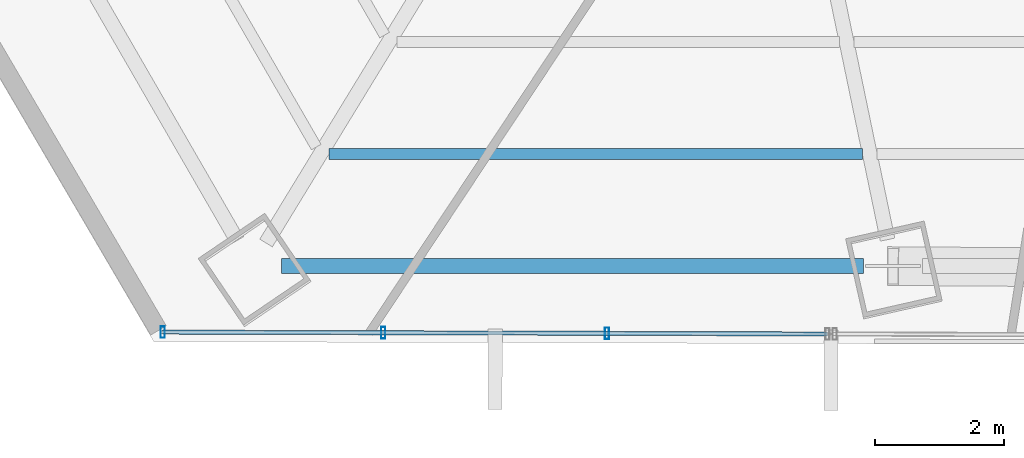
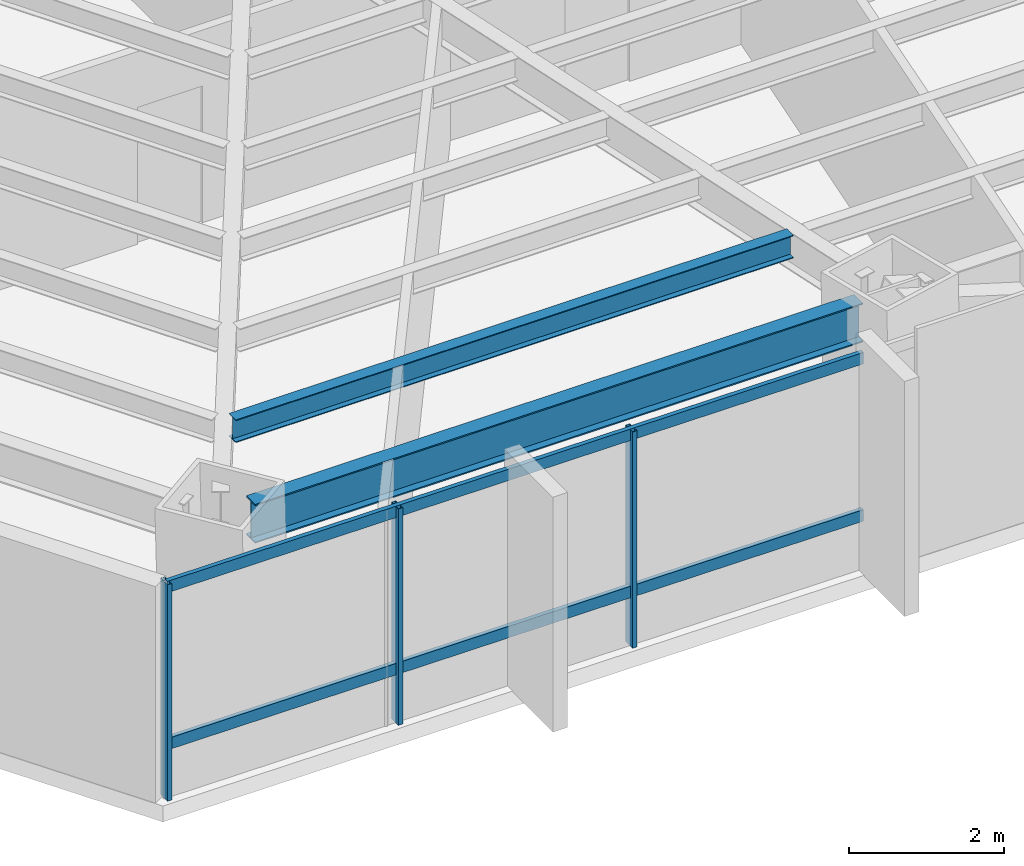
# One storey, part 3 of 37: 5 members, 2 beams, 1 element without a shape of its own.
"""IFC4 building model written with IfcOpenShell, lengths in metres."""

from ifc_helpers import new_model, si_unit, direction, frame, origin, origin_2d, place, context, subcontext, project, spatial, hollow_rectangle, i_section, extrude, source, transform, mapped, material, material_profile, profile_set, type_object, type_shapes, element, aggregate, save


model = new_model("IFC4")

# Units and contexts
model_context = context("Model", 3, precision=1e-05, world=origin(), true_north=direction((0.0, 1.0)))
body_context = subcontext(model_context, "Body", "Model", "MODEL_VIEW")
ifc_project = project(units=[si_unit("LENGTHUNIT", "METRE"), si_unit("AREAUNIT", "SQUARE_METRE"), si_unit("VOLUMEUNIT", "CUBIC_METRE"), si_unit("PLANEANGLEUNIT", "RADIAN"), si_unit("MASSUNIT", "GRAM", prefix="KILO")], contexts=[model_context])

# Site, building, storey
site_placement = place(None, origin())
site = spatial("IfcSite", under=ifc_project, at=site_placement, CompositionType="ELEMENT")
building_placement = place(site_placement, origin())
building = spatial("IfcBuilding", under=site, at=building_placement, Name="Caelisora Broadcast Tower", CompositionType="ELEMENT")
storey_placement = place(building_placement, frame((0.0, 0.0, 45.85009765625)))
storey = spatial("IfcBuildingStorey", under=building, at=storey_placement, Name="L11", CompositionType="ELEMENT", Elevation=45.85009765625)

# Beams
ifc_material_1 = material(Name="Steel Grade 350 (AS/NZS 3679.1)", Category="steel")
ifc_material_profile_1 = material_profile(ifc_material_1, i_section(OverallWidth=0.22900390625, OverallDepth=0.611572265625, WebThickness=0.011962890625, FlangeThickness=0.01953125, at=origin_2d()), Name="Steel Grade 350 (AS/NZS 3679.1)")
ifc_profile_set_1 = profile_set([ifc_material_profile_1], Name="Steel Grade 350 (AS/NZS 3679.1)")
beam_type_1 = type_object("IfcBeamType", Name="PG03", PredefinedType="BEAM", material=ifc_profile_set_1)
shared_shape_1 = source(origin(), body_context, "Body", "SweptSolid", [
    extrude(i_section(OverallWidth=0.22900390625, OverallDepth=0.611572265625, WebThickness=0.011962890625, FlangeThickness=0.01953125, at=origin_2d()), origin(), (0.0, 0.0, 1.0), 9.031494140625),
])
type_shapes(beam_type_1, [shared_shape_1])
beam_1_placement = place(storey_placement, frame((23.53271484375, 5.23388671875, 3.093994140625), z_axis=(1.0, 0.0, 0.0), x_axis=(0.0, 1.0, 0.0)))
element("IfcBeam", 1, at=beam_1_placement, inside=storey, type_object=beam_type_1, Name="L11 beam PG03", PredefinedType="BEAM", context=body_context, shape_type="MappedRepresentation", body=[
    mapped(shared_shape_1, transform((0.0, 0.0, 0.0), scale=1.0)),
])
ifc_material_profile_2 = material_profile(ifc_material_1, i_section(OverallWidth=0.172119140625, OverallDepth=0.358642578125, WebThickness=0.008056640625, FlangeThickness=0.012939453125, at=origin_2d()), Name="Steel Grade 350 (AS/NZS 3679.1)")
ifc_profile_set_2 = profile_set([ifc_material_profile_2], Name="Steel Grade 350 (AS/NZS 3679.1)")
beam_type_2 = type_object("IfcBeamType", Name="SB02", PredefinedType="JOIST", material=ifc_profile_set_2)
shared_shape_2 = source(origin(), body_context, "Body", "SweptSolid", [
    extrude(i_section(OverallWidth=0.172119140625, OverallDepth=0.358642578125, WebThickness=0.008056640625, FlangeThickness=0.012939453125, at=origin_2d()), origin(), (0.0, 0.0, 1.0), 8.285888671875),
])
type_shapes(beam_type_2, [shared_shape_2])
beam_2_placement = place(storey_placement, frame((24.264404296875, 6.9716796875, 3.220703125), z_axis=(1.0, 0.0, 0.0), x_axis=(0.0, 1.0, 0.0)))
element("IfcBeam", 2, at=beam_2_placement, inside=storey, type_object=beam_type_2, Name="L11 beam SB02", PredefinedType="JOIST", context=body_context, shape_type="MappedRepresentation", body=[
    mapped(shared_shape_2, transform((0.0, 0.0, 0.0), scale=1.0)),
])

# Curtain wall, members
ifc_material_2 = material(Name="Unitised Aluminium and Low-E Glass Curtain Wall", Category="glass")
curtain_wall_type = type_object("IfcCurtainWallType", Name="CW-Z1", PredefinedType="NOTDEFINED", material=ifc_material_2)
curtain_wall_placement = place(storey_placement, origin())
curtain_wall = element("IfcCurtainWall", 3, at=curtain_wall_placement, inside=storey, type_object=curtain_wall_type, Name="L11 curtain wall CW-Z1", PredefinedType="NOTDEFINED")
ifc_material_3 = material(Name="Aluminium 6063-T6 Anodised Terracotta Bronze", Category="aluminium")
ifc_material_profile_3 = material_profile(ifc_material_3, hollow_rectangle(XDim=0.06494140625, YDim=0.179931640625, WallThickness=0.00341796875, at=origin_2d()), Name="Aluminium 6063-T6 Anodised Terracotta Bronze")
ifc_profile_set_3 = profile_set([ifc_material_profile_3], Name="Aluminium 6063-T6 Anodised Terracotta Bronze")
member_type_1 = type_object("IfcMemberType", Name="CWM-02", PredefinedType="MULLION", material=ifc_profile_set_3)
shared_shape_3 = source(origin(), body_context, "Body", "SweptSolid", [
    extrude(hollow_rectangle(XDim=0.06494140625, YDim=0.179931640625, WallThickness=0.00341796875, at=origin_2d()), origin(), (0.0, 0.0, 1.0), 3.39990234375),
])
type_shapes(member_type_1, [shared_shape_3])
member_1_placement = place(storey_placement, frame((28.583984375, 4.189697265625, 0.0), z_axis=(0.0, 0.0, 1.0), x_axis=(1.0, 0.0, 0.0)))
member_1 = element("IfcMember", 4, at=member_1_placement, type_object=member_type_1, Name="L11-CW-B07 mullion #1", PredefinedType="MULLION", context=body_context, shape_type="MappedRepresentation", body=[
    mapped(shared_shape_3, transform((0.0, 0.0, 0.0), scale=1.0)),
])
member_2_placement = place(storey_placement, frame((25.110107421875, 4.19921875, 0.0), z_axis=(0.0, 0.0, 1.0), x_axis=(1.0, 0.0, 0.0)))
member_2 = element("IfcMember", 5, at=member_2_placement, type_object=member_type_1, Name="L11-CW-B07 mullion #2", PredefinedType="MULLION", context=body_context, shape_type="MappedRepresentation", body=[
    mapped(shared_shape_3, transform((0.0, 0.0, 0.0), scale=1.0)),
])
member_3_placement = place(storey_placement, frame((21.68603515625, 4.208984375, 0.0), z_axis=(0.0, 0.0, 1.0), x_axis=(1.0, 0.0, 0.0)))
member_3 = element("IfcMember", 6, at=member_3_placement, type_object=member_type_1, Name="L11-CW-B07 mullion #3", PredefinedType="MULLION", context=body_context, shape_type="MappedRepresentation", body=[
    mapped(shared_shape_3, transform((0.0, 0.0, 0.0), scale=1.0)),
])
ifc_material_profile_4 = material_profile(ifc_material_3, hollow_rectangle(XDim=0.06494140625, YDim=0.179931640625, WallThickness=0.00341796875, at=origin_2d()), Name="Aluminium 6063-T6 Anodised Terracotta Bronze")
ifc_profile_set_4 = profile_set([ifc_material_profile_4], Name="Aluminium 6063-T6 Anodised Terracotta Bronze")
member_type_2 = type_object("IfcMemberType", Name="CWT-01", PredefinedType="USERDEFINED", material=ifc_profile_set_4)
shared_shape_4 = source(origin(), body_context, "Body", "SweptSolid", [
    extrude(hollow_rectangle(XDim=0.06494140625, YDim=0.179931640625, WallThickness=0.00341796875, at=origin_2d()), origin(), (0.0, 0.0, 1.0), 10.32177734375),
])
type_shapes(member_type_2, [shared_shape_4])
member_4_placement = place(storey_placement, frame((32.0078125, 4.18017578125, 0.849853515625), z_axis=(-0.999996105043, 0.002791038848, 0.0), x_axis=(-0.002791038848, -0.999996105043, 0.0)))
member_4 = element("IfcMember", 7, at=member_4_placement, type_object=member_type_2, Name="L11-CW-B07 transom #1", ObjectType="TRANSOM", PredefinedType="USERDEFINED", context=body_context, shape_type="MappedRepresentation", body=[
    mapped(shared_shape_4, transform((0.0, 0.0, 0.0), scale=1.0)),
])
member_5_placement = place(storey_placement, frame((32.0078125, 4.18017578125, 3.31982421875), z_axis=(-0.999996105043, 0.002791038848, 0.0), x_axis=(-0.002791038848, -0.999996105043, 0.0)))
member_5 = element("IfcMember", 8, at=member_5_placement, type_object=member_type_2, Name="L11-CW-B07 transom #2", ObjectType="TRANSOM", PredefinedType="USERDEFINED", context=body_context, shape_type="MappedRepresentation", body=[
    mapped(shared_shape_4, transform((0.0, 0.0, 0.0), scale=1.0)),
])
aggregate(curtain_wall, [member_1, member_2, member_3, member_4, member_5])

save(model, "model.ifc")
